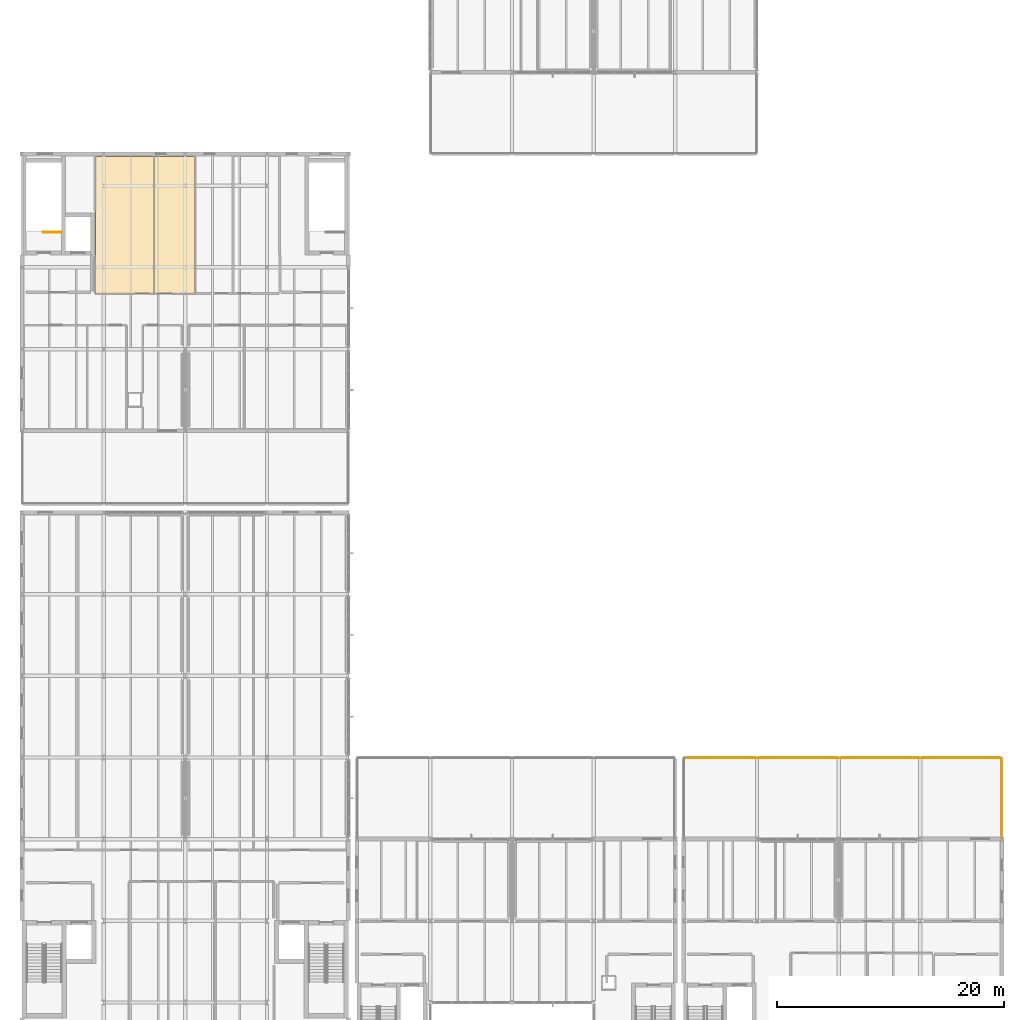
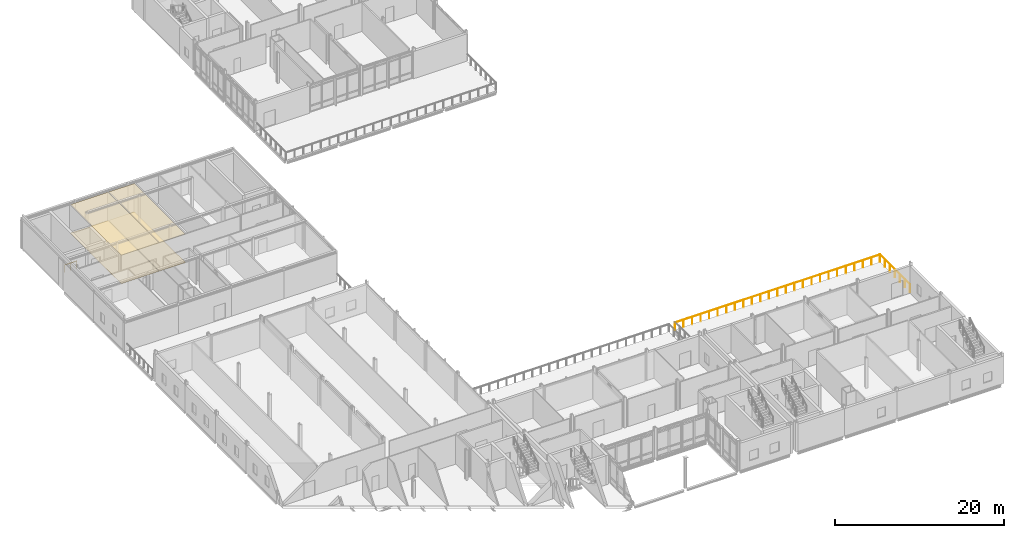
# One storey, part 50 of 53: 4 coverings, 3 railings.
"""IFC4 building model written with IfcOpenShell, lengths in metres."""

from ifc_helpers import new_model, si_unit, direction, frame, origin, origin_2d, place, context, subcontext, project, spatial, polyline, circle, outline, extrude, material, layer, layer_set, type_object, element, save


model = new_model("IFC4")

# Units and contexts
model_context = context("Model", 3, precision=1e-05, world=origin(), true_north=direction((0.0, 1.0)))
body_context = subcontext(model_context, "Body", "Model", "MODEL_VIEW")
ifc_project = project(units=[si_unit("LENGTHUNIT", "METRE"), si_unit("AREAUNIT", "SQUARE_METRE"), si_unit("VOLUMEUNIT", "CUBIC_METRE"), si_unit("PLANEANGLEUNIT", "RADIAN"), si_unit("MASSUNIT", "GRAM", prefix="KILO")], contexts=[model_context])

# Site, building, storey
site_placement = place(None, origin())
site = spatial("IfcSite", under=ifc_project, at=site_placement, CompositionType="ELEMENT")
building_placement = place(site_placement, origin())
building = spatial("IfcBuilding", under=site, at=building_placement, Name="Zarrinpeak Specialist Clinic", CompositionType="ELEMENT")
storey_placement = place(building_placement, frame((0.0, 0.0, 14.0)))
storey = spatial("IfcBuildingStorey", under=building, at=storey_placement, Name="L03", CompositionType="ELEMENT", Elevation=14.0)

# Coverings
ifc_material_1 = material(Name="Hygienic Acoustic Mineral Fibre Tile")
ifc_layer_1 = layer(ifc_material_1, 0.02490234375)
ifc_layer_set_1 = layer_set([ifc_layer_1], Name="Hygienic Acoustic Mineral Fibre Tile")
covering_type_1 = type_object("IfcCoveringType", Name="CV-CEIL-AC", PredefinedType="CEILING", material=ifc_layer_set_1)
covering_1_placement = place(storey_placement, frame((0.0, 0.0, 4.0849609375)))
element("IfcCovering", 1, at=covering_1_placement, inside=storey, type_object=covering_type_1, Name="L03 Palliative Supportive Care Suite Hygienic Acoustic Ceiling", PredefinedType="CEILING", context=body_context, shape_type="SweptSolid", body=[
    extrude(outline(polyline([(11.669921875, 69.719970703125), (15.22998046875, 69.719970703125), (15.22998046875, 81.780029296875), (11.669921875, 81.780029296875), (11.669921875, 69.719970703125)])), origin(), (0.0, 0.0, 1.0), 0.025146484375),
])
covering_2_placement = place(storey_placement, frame((0.0, 0.0, 4.0849609375)))
element("IfcCovering", 2, at=covering_2_placement, inside=storey, type_object=covering_type_1, Name="L03 Specialist Consultation Room 3 Hygienic Acoustic Ceiling", PredefinedType="CEILING", context=body_context, shape_type="SweptSolid", body=[
    extrude(outline(polyline([(6.469970703125, 69.719970703125), (11.6298828125, 69.719970703125), (11.6298828125, 81.780029296875), (6.469970703125, 81.780029296875), (6.469970703125, 69.719970703125)])), origin(), (0.0, 0.0, 1.0), 0.025146484375),
])
ifc_material_2 = material(Name="Homogeneous Antimicrobial Clinical Vinyl")
ifc_layer_2 = layer(ifc_material_2, 0.008056640625)
ifc_layer_set_2 = layer_set([ifc_layer_2], Name="Homogeneous Antimicrobial Clinical Vinyl")
covering_type_2 = type_object("IfcCoveringType", Name="CV-FLR-VN", PredefinedType="FLOORING", material=ifc_layer_set_2)
covering_3_placement = place(storey_placement, frame((0.0, 0.0, 0.0009765625)))
element("IfcCovering", 3, at=covering_3_placement, inside=storey, type_object=covering_type_2, Name="L03 Palliative Supportive Care Suite Antimicrobial Vinyl Flooring", PredefinedType="FLOORING", context=body_context, shape_type="SweptSolid", body=[
    extrude(outline(polyline([(11.669921875, 69.719970703125), (15.22998046875, 69.719970703125), (15.22998046875, 81.780029296875), (11.669921875, 81.780029296875), (11.669921875, 69.719970703125)])), origin(), (0.0, 0.0, 1.0), 0.008056640625),
])
covering_4_placement = place(storey_placement, frame((0.0, 0.0, 0.0009765625)))
element("IfcCovering", 4, at=covering_4_placement, inside=storey, type_object=covering_type_2, Name="L03 Specialist Consultation Room 3 Antimicrobial Vinyl Flooring", PredefinedType="FLOORING", context=body_context, shape_type="SweptSolid", body=[
    extrude(outline(polyline([(6.469970703125, 69.719970703125), (11.6298828125, 69.719970703125), (11.6298828125, 81.780029296875), (6.469970703125, 81.780029296875), (6.469970703125, 69.719970703125)])), origin(), (0.0, 0.0, 1.0), 0.008056640625),
])

# Railings
ifc_material_3 = material(Name="Powder-Coated Steel Post-and-Rail Balustrade", Category="steel")
ifc_layer_3 = layer(ifc_material_3, 0.06005859375)
ifc_layer_set_3 = layer_set([ifc_layer_3], Name="Powder-Coated Steel Post-and-Rail Balustrade")
railing_type_1 = type_object("IfcRailingType", Name="RL-BAL110", PredefinedType="BALUSTRADE", material=ifc_layer_set_3)
railing_1_placement = place(storey_placement, frame((58.3798828125, 28.739990234375, 0.0)))
element("IfcRailing", 5, at=railing_1_placement, inside=storey, type_object=railing_type_1, Name="L03 V4 Terrace Perimeter Guardrail GR-010", PredefinedType="BALUSTRADE", context=body_context, shape_type="SweptSolid", body=[
    extrude(circle(Radius=0.02392578125, at=origin_2d()), frame((0.0, 0.0, 1.09619140625), z_axis=(1.0, 0.0, 0.0), x_axis=(0.0, 1.0, 0.0)), (0.0, 0.0, 1.0), 27.960205078125),
    extrude(circle(Radius=0.02099609375, at=origin_2d()), origin(), (0.0, 0.0, 1.0), 1.072021484375),
    extrude(circle(Radius=0.02099609375, at=origin_2d()), frame((1.1650390625, 0.0, 0.0)), (0.0, 0.0, 1.0), 1.072021484375),
    extrude(circle(Radius=0.02099609375, at=origin_2d()), frame((2.330078125, 0.0, 0.0)), (0.0, 0.0, 1.0), 1.072021484375),
    extrude(circle(Radius=0.02099609375, at=origin_2d()), frame((3.4951171875, 0.0, 0.0)), (0.0, 0.0, 1.0), 1.072021484375),
    extrude(circle(Radius=0.02099609375, at=origin_2d()), frame((4.66015625, 0.0, 0.0)), (0.0, 0.0, 1.0), 1.072021484375),
    extrude(circle(Radius=0.02099609375, at=origin_2d()), frame((5.824951171875, 0.0, 0.0)), (0.0, 0.0, 1.0), 1.072021484375),
    extrude(circle(Radius=0.02099609375, at=origin_2d()), frame((6.989990234375, 0.0, 0.0)), (0.0, 0.0, 1.0), 1.072021484375),
    extrude(circle(Radius=0.02099609375, at=origin_2d()), frame((8.155029296875, 0.0, 0.0)), (0.0, 0.0, 1.0), 1.072021484375),
    extrude(circle(Radius=0.02099609375, at=origin_2d()), frame((9.320068359375, 0.0, 0.0)), (0.0, 0.0, 1.0), 1.072021484375),
    extrude(circle(Radius=0.02099609375, at=origin_2d()), frame((10.485107421875, 0.0, 0.0)), (0.0, 0.0, 1.0), 1.072021484375),
    extrude(circle(Radius=0.02099609375, at=origin_2d()), frame((11.650146484375, 0.0, 0.0)), (0.0, 0.0, 1.0), 1.072021484375),
    extrude(circle(Radius=0.02099609375, at=origin_2d()), frame((12.815185546875, 0.0, 0.0)), (0.0, 0.0, 1.0), 1.072021484375),
    extrude(circle(Radius=0.02099609375, at=origin_2d()), frame((13.97998046875, 0.0, 0.0)), (0.0, 0.0, 1.0), 1.072021484375),
    extrude(circle(Radius=0.02099609375, at=origin_2d()), frame((15.14501953125, 0.0, 0.0)), (0.0, 0.0, 1.0), 1.072021484375),
    extrude(circle(Radius=0.02099609375, at=origin_2d()), frame((16.31005859375, 0.0, 0.0)), (0.0, 0.0, 1.0), 1.072021484375),
    extrude(circle(Radius=0.02099609375, at=origin_2d()), frame((17.47509765625, 0.0, 0.0)), (0.0, 0.0, 1.0), 1.072021484375),
    extrude(circle(Radius=0.02099609375, at=origin_2d()), frame((18.64013671875, 0.0, 0.0)), (0.0, 0.0, 1.0), 1.072021484375),
    extrude(circle(Radius=0.02099609375, at=origin_2d()), frame((19.80517578125, 0.0, 0.0)), (0.0, 0.0, 1.0), 1.072021484375),
    extrude(circle(Radius=0.02099609375, at=origin_2d()), frame((20.97021484375, 0.0, 0.0)), (0.0, 0.0, 1.0), 1.072021484375),
    extrude(circle(Radius=0.02099609375, at=origin_2d()), frame((22.13525390625, 0.0, 0.0)), (0.0, 0.0, 1.0), 1.072021484375),
    extrude(circle(Radius=0.02099609375, at=origin_2d()), frame((23.30029296875, 0.0, 0.0)), (0.0, 0.0, 1.0), 1.072021484375),
    extrude(circle(Radius=0.02099609375, at=origin_2d()), frame((24.465087890625, 0.0, 0.0)), (0.0, 0.0, 1.0), 1.072021484375),
    extrude(circle(Radius=0.02099609375, at=origin_2d()), frame((25.630126953125, 0.0, 0.0)), (0.0, 0.0, 1.0), 1.072021484375),
    extrude(circle(Radius=0.02099609375, at=origin_2d()), frame((26.795166015625, 0.0, 0.0)), (0.0, 0.0, 1.0), 1.072021484375),
    extrude(circle(Radius=0.02099609375, at=origin_2d()), frame((27.960205078125, 0.0, 0.0)), (0.0, 0.0, 1.0), 1.072021484375),
])
railing_2_placement = place(storey_placement, frame((86.340087890625, 21.659912109375, 0.0)))
element("IfcRailing", 6, at=railing_2_placement, inside=storey, type_object=railing_type_1, Name="L03 V4 Terrace Perimeter Guardrail GR-012", PredefinedType="BALUSTRADE", context=body_context, shape_type="SweptSolid", body=[
    extrude(circle(Radius=0.02392578125, at=origin_2d()), frame((0.0, 0.0, 1.09619140625), z_axis=(0.0, 1.0, 0.0), x_axis=(-1.0, 0.0, 0.0)), (0.0, 0.0, 1.0), 7.080078125),
    extrude(circle(Radius=0.02099609375, at=origin_2d()), origin(), (0.0, 0.0, 1.0), 1.072021484375),
    extrude(circle(Radius=0.02099609375, at=origin_2d()), frame((0.0, 1.179931640625, 0.0)), (0.0, 0.0, 1.0), 1.072021484375),
    extrude(circle(Radius=0.02099609375, at=origin_2d()), frame((0.0, 2.360107421875, 0.0)), (0.0, 0.0, 1.0), 1.072021484375),
    extrude(circle(Radius=0.02099609375, at=origin_2d()), frame((0.0, 3.5400390625, 0.0)), (0.0, 0.0, 1.0), 1.072021484375),
    extrude(circle(Radius=0.02099609375, at=origin_2d()), frame((0.0, 4.719970703125, 0.0)), (0.0, 0.0, 1.0), 1.072021484375),
    extrude(circle(Radius=0.02099609375, at=origin_2d()), frame((0.0, 5.900146484375, 0.0)), (0.0, 0.0, 1.0), 1.072021484375),
    extrude(circle(Radius=0.02099609375, at=origin_2d()), frame((0.0, 7.080078125, 0.0)), (0.0, 0.0, 1.0), 1.072021484375),
])
ifc_material_4 = material(Name="Laminated Safety Glass and Stainless Steel 316", Category="steel")
ifc_layer_4 = layer(ifc_material_4, 0.06005859375)
ifc_layer_set_4 = layer_set([ifc_layer_4], Name="Laminated Safety Glass and Stainless Steel 316")
railing_type_2 = type_object("IfcRailingType", Name="RL-GRD115", PredefinedType="GUARDRAIL", material=ifc_layer_set_4)
railing_3_placement = place(storey_placement, frame((3.5, 75.10009765625, 0.0)))
element("IfcRailing", 7, at=railing_3_placement, inside=storey, type_object=railing_type_2, Name="L03 ST-09 top well guard 1", PredefinedType="GUARDRAIL", context=body_context, shape_type="SweptSolid", body=[
    extrude(circle(Radius=0.02392578125, at=origin_2d()), frame((0.0, 0.0, 1.076171875), z_axis=(-1.0, 0.0, 0.0), x_axis=(0.0, -1.0, 0.0)), (0.0, 0.0, 1.0), 1.64990234375),
    extrude(circle(Radius=0.02099609375, at=origin_2d()), origin(), (0.0, 0.0, 1.0), 1.052001953125),
    extrude(circle(Radius=0.02099609375, at=origin_2d()), frame((-0.824951171875, 0.0, 0.0)), (0.0, 0.0, 1.0), 1.052001953125),
    extrude(circle(Radius=0.02099609375, at=origin_2d()), frame((-1.64990234375, 0.0, 0.0)), (0.0, 0.0, 1.0), 1.052001953125),
])

save(model, "model.ifc")
